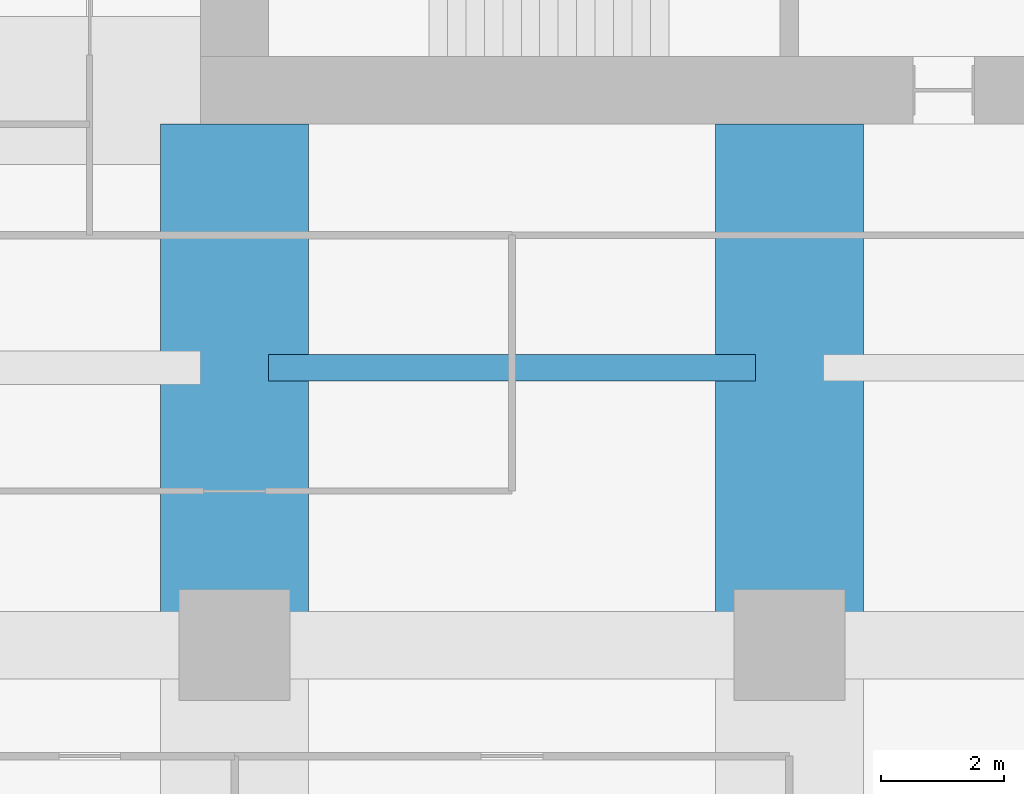
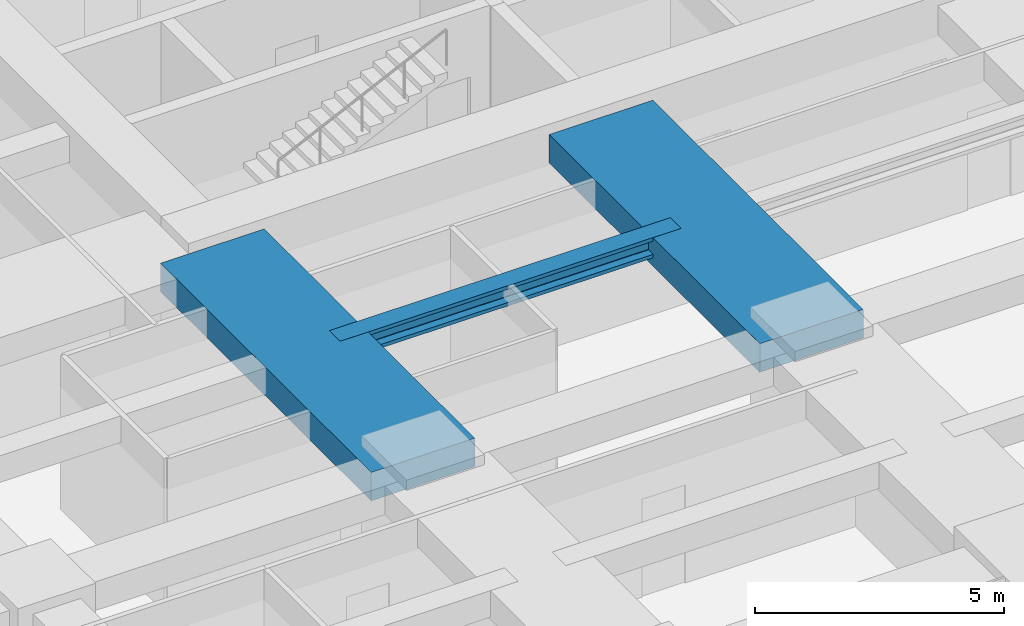
# One storey, part 8 of 43: 3 beams.
"""IFC4 building model written with IfcOpenShell, lengths in metres."""

from ifc_helpers import new_model, si_unit, direction, frame, origin, origin_2d, place, context, subcontext, project, spatial, rectangle, i_section, extrude, material, material_profile, profile_set, type_object, element, save


model = new_model("IFC4")

# Units and contexts
model_context = context("Model", 3, precision=1e-05, world=origin(), true_north=direction((0.0, 1.0)))
body_context = subcontext(model_context, "Body", "Model", "MODEL_VIEW")
ifc_project = project(units=[si_unit("LENGTHUNIT", "METRE"), si_unit("AREAUNIT", "SQUARE_METRE"), si_unit("VOLUMEUNIT", "CUBIC_METRE"), si_unit("PLANEANGLEUNIT", "RADIAN"), si_unit("MASSUNIT", "GRAM", prefix="KILO")], contexts=[model_context])

# Site, building, storey
site_placement = place(None, origin())
site = spatial("IfcSite", under=ifc_project, at=site_placement, CompositionType="ELEMENT")
building_placement = place(site_placement, origin())
building = spatial("IfcBuilding", under=site, at=building_placement, Name="Zorevar Civic Tower", CompositionType="ELEMENT")
storey_placement = place(building_placement, frame((0.0, 0.0, 145.0)))
storey = spatial("IfcBuildingStorey", under=building, at=storey_placement, Name="L35", CompositionType="ELEMENT", Elevation=145.0)

# Beams
ifc_material_1 = material(Name="Concrete C50/60", Category="concrete")
ifc_material_profile_1 = material_profile(ifc_material_1, rectangle(XDim=2.39990234375, YDim=0.699951171875, at=origin_2d()), Name="RC 2400x700")
ifc_profile_set_1 = profile_set([ifc_material_profile_1], Name="Concrete C50/60")
beam_type_1 = type_object("IfcBeamType", Name="Beam RC 2400x700", PredefinedType="BEAM", material=ifc_profile_set_1)
for number, where, z_axis, x_axis, name in (
    (1, (18.0, 9.0, 3.39990234375), (0.0, 1.0, 0.0), (-1.0, 0.0, 0.0), "Girder L36"),
    (2, (27.0, 9.0, 3.39990234375), (0.0, 1.0, 0.0), (-1.0, 0.0, 0.0), "Girder L36"),
):
    element("IfcBeam", number, at=place(storey_placement, frame(where, z_axis=z_axis, x_axis=x_axis)), inside=storey, type_object=beam_type_1, Name=name, PredefinedType="BEAM", context=body_context, shape_type="SweptSolid", body=[
        extrude(rectangle(XDim=2.39990234375, YDim=0.699951171875, at=origin_2d()), origin(), (0.0, 0.0, 1.0), 8.449951171875),
    ])
ifc_material_2 = material(Name="Steel S460M (HISTAR 460)", Category="steel")
ifc_material_profile_2 = material_profile(ifc_material_2, i_section(OverallWidth=0.431884765625, OverallDepth=0.498046875, WebThickness=0.0556640625, FlangeThickness=0.0888671875, FilletRadius=0.014892578125, at=origin_2d()), Name="HD 400x744")
ifc_profile_set_2 = profile_set([ifc_material_profile_2], Name="Steel S460M (HISTAR 460)")
beam_type_2 = type_object("IfcBeamType", Name="Core bay beam HD 400x744", PredefinedType="BEAM", material=ifc_profile_set_2)
beam_placement = place(storey_placement, frame((18.550048828125, 13.5, 3.5009765625), z_axis=(1.0, 0.0, 0.0), x_axis=(0.0, 1.0, 0.0)))
element("IfcBeam", 3, at=beam_placement, inside=storey, type_object=beam_type_2, Name="Secondary beam L36", PredefinedType="BEAM", context=body_context, shape_type="SweptSolid", body=[
    extrude(i_section(OverallWidth=0.431884765625, OverallDepth=0.498046875, WebThickness=0.0556640625, FlangeThickness=0.0888671875, FilletRadius=0.014892578125, at=origin_2d()), origin(), (0.0, 0.0, 1.0), 7.89990234375),
])

save(model, "model.ifc")
